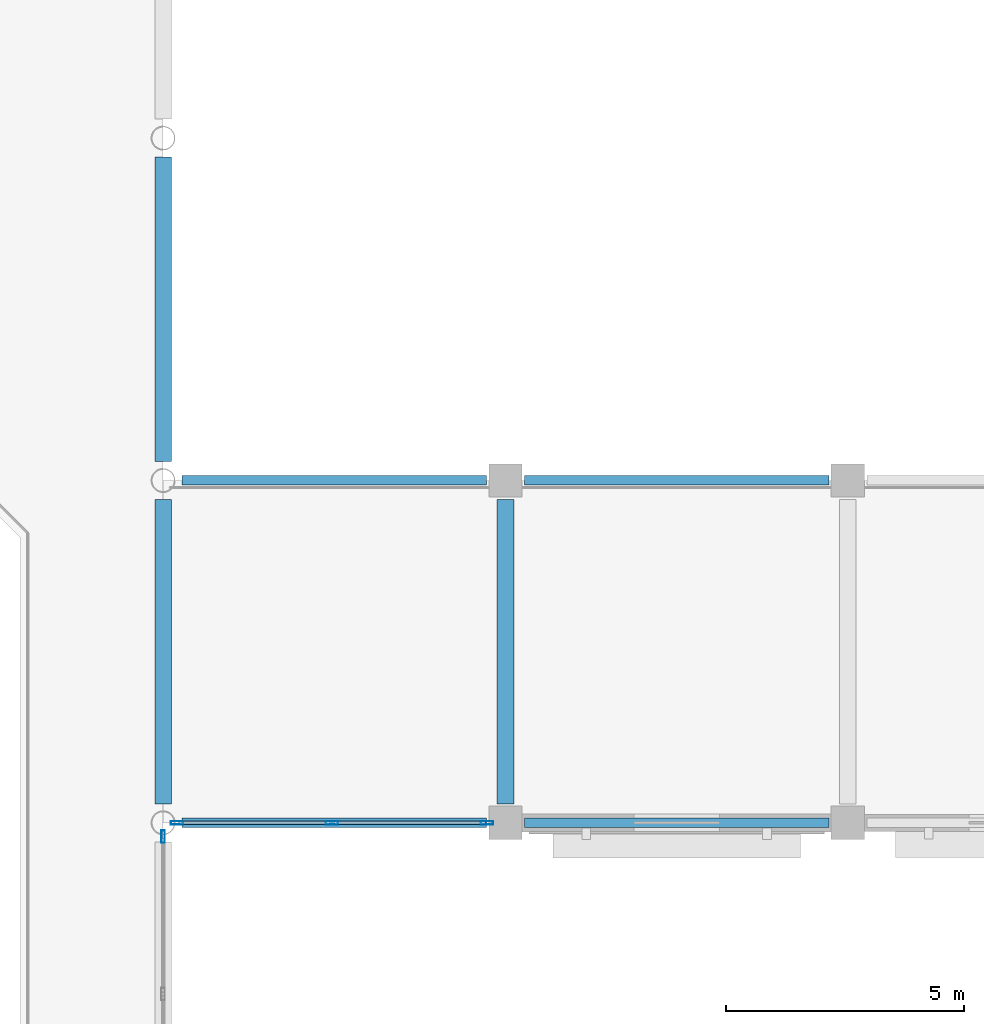
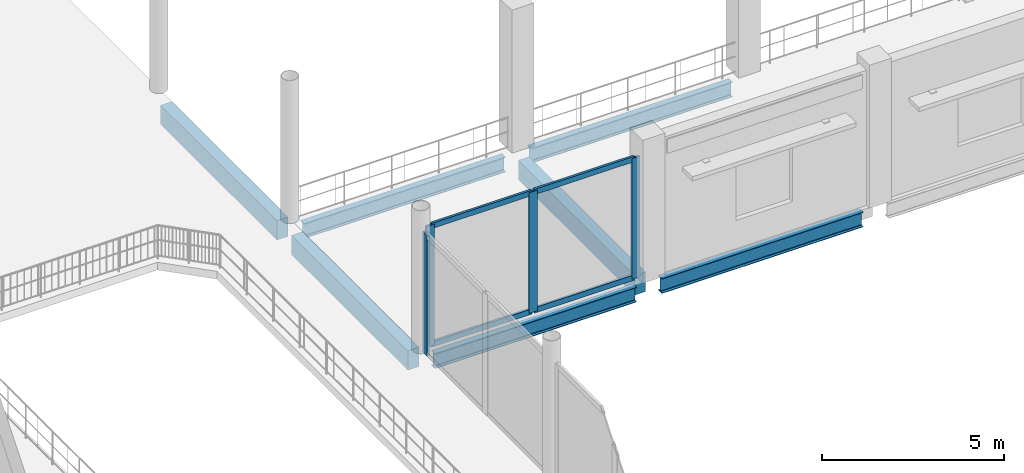
# One storey, part 37 of 99: 8 members, 7 beams, 2 elements without a shape of their own.
"""IFC4 building model written with IfcOpenShell, lengths in metres."""

from ifc_helpers import new_model, si_unit, direction, frame, origin, origin_2d, place, context, subcontext, project, spatial, rectangle, hollow_rectangle, i_section, extrude, material, material_profile, profile_set, type_object, element, aggregate, save


model = new_model("IFC4")

# Units and contexts
model_context = context("Model", 3, precision=1e-05, world=origin(), true_north=direction((0.0, 1.0)))
body_context = subcontext(model_context, "Body", "Model", "MODEL_VIEW")
ifc_project = project(units=[si_unit("LENGTHUNIT", "METRE"), si_unit("AREAUNIT", "SQUARE_METRE"), si_unit("VOLUMEUNIT", "CUBIC_METRE"), si_unit("PLANEANGLEUNIT", "RADIAN"), si_unit("MASSUNIT", "GRAM", prefix="KILO")], contexts=[model_context])

# Site, building, storey
site_placement = place(None, origin())
site = spatial("IfcSite", under=ifc_project, at=site_placement, CompositionType="ELEMENT")
building_placement = place(site_placement, origin())
building = spatial("IfcBuilding", under=site, at=building_placement, Name="Vesperath Aquatics Centre", CompositionType="ELEMENT")
storey_placement = place(building_placement, frame((0.0, 0.0, 5.39990234375)))
storey = spatial("IfcBuildingStorey", under=building, at=storey_placement, Name="L01", CompositionType="ELEMENT", Elevation=5.39990234375)

# Beams
ifc_material_1 = material(Name="Concrete C35", Category="concrete")
ifc_material_profile_1 = material_profile(ifc_material_1, rectangle(XDim=0.35009765625, YDim=0.64990234375, at=origin_2d()), Name="RC 350x650")
ifc_profile_set_1 = profile_set([ifc_material_profile_1], Name="Concrete C35")
beam_type_1 = type_object("IfcBeamType", Name="BM-G05", PredefinedType="BEAM", material=ifc_profile_set_1)
for number, where, z_axis, x_axis, name in (
    (1, (115.199951171875, 65.199951171875, -0.5849609375), (0.0, 1.0, 0.0), (-1.0, 0.0, 0.0), "Floor Girder B05 L01 17 K-L"),
    (2, (115.199951171875, 72.39990234375, -0.5849609375), (0.0, 1.0, 0.0), (-1.0, 0.0, 0.0), "Floor Girder B05 L01 17 L-M"),
    (3, (122.39990234375, 65.199951171875, -0.5849609375), (0.0, 1.0, 0.0), (-1.0, 0.0, 0.0), "Floor Girder B05 L01 18 K-L"),
):
    element("IfcBeam", number, at=place(storey_placement, frame(where, z_axis=z_axis, x_axis=x_axis)), inside=storey, type_object=beam_type_1, Name=name, PredefinedType="BEAM", context=body_context, shape_type="SweptSolid", body=[
        extrude(rectangle(XDim=0.35009765625, YDim=0.64990234375, at=origin_2d()), origin(), (0.0, 0.0, 1.0), 6.400146484375),
    ])
ifc_material_2 = material(Name="Steel Q355D", Category="steel")
ifc_material_profile_2 = material_profile(ifc_material_2, i_section(OverallWidth=0.199951171875, OverallDepth=0.5, WebThickness=0.010009765625, FlangeThickness=0.01611328125, FilletRadius=0.02001953125, at=origin_2d()), Name="HN 500x200x10x16")
ifc_profile_set_2 = profile_set([ifc_material_profile_2], Name="Steel Q355D")
beam_type_2 = type_object("IfcBeamType", Name="BM-SP01", PredefinedType="SPANDREL", material=ifc_profile_set_2)
for number, where, z_axis, x_axis, name in (
    (4, (115.60009765625, 64.800048828125, -0.510009765625), (1.0, 0.0, 0.0), (0.0, 1.0, 0.0), "Floor Girder SP01 L01 K 17-18"),
    (5, (115.60009765625, 72.0, -0.510009765625), (1.0, 0.0, 0.0), (0.0, 1.0, 0.0), "Floor Girder SP01 L01 L 17-18"),
    (6, (122.800048828125, 64.800048828125, -0.510009765625), (1.0, 0.0, 0.0), (0.0, 1.0, 0.0), "Floor Girder SP01 L01 K 18-19"),
    (7, (122.800048828125, 72.0, -0.510009765625), (1.0, 0.0, 0.0), (0.0, 1.0, 0.0), "Floor Girder SP01 L01 L 18-19"),
):
    element("IfcBeam", number, at=place(storey_placement, frame(where, z_axis=z_axis, x_axis=x_axis)), inside=storey, type_object=beam_type_2, Name=name, PredefinedType="SPANDREL", context=body_context, shape_type="SweptSolid", body=[
        extrude(i_section(OverallWidth=0.199951171875, OverallDepth=0.5, WebThickness=0.010009765625, FlangeThickness=0.01611328125, FilletRadius=0.02001953125, at=origin_2d()), origin(), (0.0, 0.0, 1.0), 6.39990234375),
    ])

# Curtain wall, members
ifc_material_3 = material(Name="Thermally broken anodised bronze aluminium curtain wall", Category="aluminium")
curtain_wall_type = type_object("IfcCurtainWallType", Name="CW-06", PredefinedType="NOTDEFINED", material=ifc_material_3)
curtain_wall_1_placement = place(storey_placement, origin())
curtain_wall_1 = element("IfcCurtainWall", 8, at=curtain_wall_1_placement, inside=storey, type_object=curtain_wall_type, Name="Facade Curtain Wall CW06 L01_S_16_09", PredefinedType="NOTDEFINED")
ifc_material_4 = material(Name="Thermally broken anodised aluminium", Category="aluminium")
ifc_material_profile_3 = material_profile(ifc_material_4, hollow_rectangle(XDim=0.074951171875, YDim=0.260009765625, WallThickness=0.006103515625, at=origin_2d()), Name="CWM 75x260x6")
ifc_profile_set_3 = profile_set([ifc_material_profile_3], Name="Thermally broken anodised aluminium")
member_type_1 = type_object("IfcMemberType", Name="MB-CWM1", PredefinedType="MULLION", material=ifc_profile_set_3)
member_1_placement = place(storey_placement, frame((115.491455078125, 64.800048828125, 0.0), z_axis=(0.0, 0.0, 1.0), x_axis=(0.0, 1.0, 0.0)))
member_1 = element("IfcMember", 9, at=member_1_placement, type_object=member_type_1, Name="CW06 mullion 1", PredefinedType="MULLION", context=body_context, shape_type="SweptSolid", body=[
    extrude(hollow_rectangle(XDim=0.074951171875, YDim=0.260009765625, WallThickness=0.006103515625, at=origin_2d()), origin(), (0.0, 0.0, 1.0), 4.052001953125),
])
member_2_placement = place(storey_placement, frame((118.751953125, 64.800048828125, 0.0), z_axis=(0.0, 0.0, 1.0), x_axis=(0.0, 1.0, 0.0)))
member_2 = element("IfcMember", 10, at=member_2_placement, type_object=member_type_1, Name="CW06 mullion 2", PredefinedType="MULLION", context=body_context, shape_type="SweptSolid", body=[
    extrude(hollow_rectangle(XDim=0.074951171875, YDim=0.260009765625, WallThickness=0.006103515625, at=origin_2d()), origin(), (0.0, 0.0, 1.0), 4.052001953125),
])
member_3_placement = place(storey_placement, frame((122.012451171875, 64.800048828125, 0.0), z_axis=(0.0, 0.0, 1.0), x_axis=(0.0, 1.0, 0.0)))
member_3 = element("IfcMember", 11, at=member_3_placement, type_object=member_type_1, Name="CW06 mullion 3", PredefinedType="MULLION", context=body_context, shape_type="SweptSolid", body=[
    extrude(hollow_rectangle(XDim=0.074951171875, YDim=0.260009765625, WallThickness=0.006103515625, at=origin_2d()), origin(), (0.0, 0.0, 1.0), 4.052001953125),
])

# Curtain wall, member
curtain_wall_2_placement = place(storey_placement, origin())
curtain_wall_2 = element("IfcCurtainWall", 12, at=curtain_wall_2_placement, inside=storey, type_object=curtain_wall_type, Name="Facade Curtain Wall CW06 L01_E_16_08", PredefinedType="NOTDEFINED")
member_4_placement = place(storey_placement, frame((115.199951171875, 64.508544921875, 0.0), z_axis=(0.0, 0.0, 1.0), x_axis=(-1.0, 0.0, 0.0)))
member_4 = element("IfcMember", 13, at=member_4_placement, type_object=member_type_1, Name="CW06 mullion 3", PredefinedType="MULLION", context=body_context, shape_type="SweptSolid", body=[
    extrude(hollow_rectangle(XDim=0.074951171875, YDim=0.260009765625, WallThickness=0.006103515625, at=origin_2d()), origin(), (0.0, 0.0, 1.0), 4.052001953125),
])
aggregate(curtain_wall_2, [member_4])

# Member
ifc_material_profile_4 = material_profile(ifc_material_4, hollow_rectangle(XDim=0.074951171875, YDim=0.179931640625, WallThickness=0.0048828125, at=origin_2d()), Name="CWT 75x180x5")
ifc_profile_set_4 = profile_set([ifc_material_profile_4], Name="Thermally broken anodised aluminium")
member_type_2 = type_object("IfcMemberType", Name="MB-CWT1", PredefinedType="USERDEFINED", material=ifc_profile_set_4)
member_5_placement = place(storey_placement, frame((115.529052734375, 64.800048828125, 0.03759765625), z_axis=(1.0, 0.0, 0.0), x_axis=(0.0, 1.0, 0.0)))
member_5 = element("IfcMember", 14, at=member_5_placement, type_object=member_type_2, Name="CW06 transom 1.1", ObjectType="TRANSOM", PredefinedType="USERDEFINED", context=body_context, shape_type="SweptSolid", body=[
    extrude(hollow_rectangle(XDim=0.074951171875, YDim=0.179931640625, WallThickness=0.0048828125, at=origin_2d()), origin(), (0.0, 0.0, 1.0), 3.185546875),
])

member_6_placement = place(storey_placement, frame((115.529052734375, 64.800048828125, 4.0146484375), z_axis=(1.0, 0.0, 0.0), x_axis=(0.0, 1.0, 0.0)))
member_6 = element("IfcMember", 15, at=member_6_placement, type_object=member_type_2, Name="CW06 transom 1.2", ObjectType="TRANSOM", PredefinedType="USERDEFINED", context=body_context, shape_type="SweptSolid", body=[
    extrude(hollow_rectangle(XDim=0.074951171875, YDim=0.179931640625, WallThickness=0.0048828125, at=origin_2d()), origin(), (0.0, 0.0, 1.0), 3.185546875),
])

member_7_placement = place(storey_placement, frame((118.78955078125, 64.800048828125, 0.03759765625), z_axis=(1.0, 0.0, 0.0), x_axis=(0.0, 1.0, 0.0)))
member_7 = element("IfcMember", 16, at=member_7_placement, type_object=member_type_2, Name="CW06 transom 2.1", ObjectType="TRANSOM", PredefinedType="USERDEFINED", context=body_context, shape_type="SweptSolid", body=[
    extrude(hollow_rectangle(XDim=0.074951171875, YDim=0.179931640625, WallThickness=0.0048828125, at=origin_2d()), origin(), (0.0, 0.0, 1.0), 3.185546875),
])

member_8_placement = place(storey_placement, frame((118.78955078125, 64.800048828125, 4.0146484375), z_axis=(1.0, 0.0, 0.0), x_axis=(0.0, 1.0, 0.0)))
member_8 = element("IfcMember", 17, at=member_8_placement, type_object=member_type_2, Name="CW06 transom 2.2", ObjectType="TRANSOM", PredefinedType="USERDEFINED", context=body_context, shape_type="SweptSolid", body=[
    extrude(hollow_rectangle(XDim=0.074951171875, YDim=0.179931640625, WallThickness=0.0048828125, at=origin_2d()), origin(), (0.0, 0.0, 1.0), 3.185546875),
])

aggregate(curtain_wall_1, [member_1, member_2, member_3, member_5, member_6, member_7, member_8])

save(model, "model.ifc")
